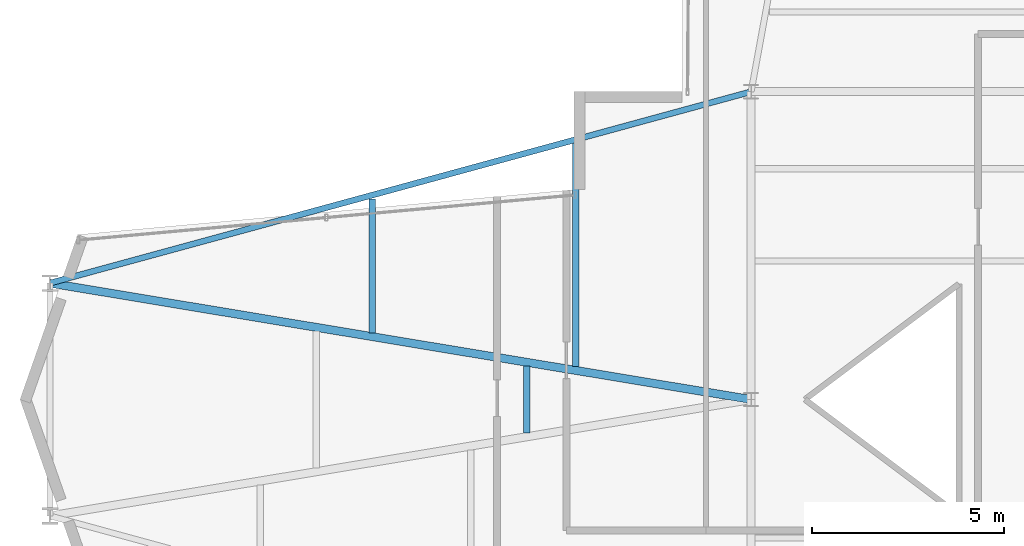
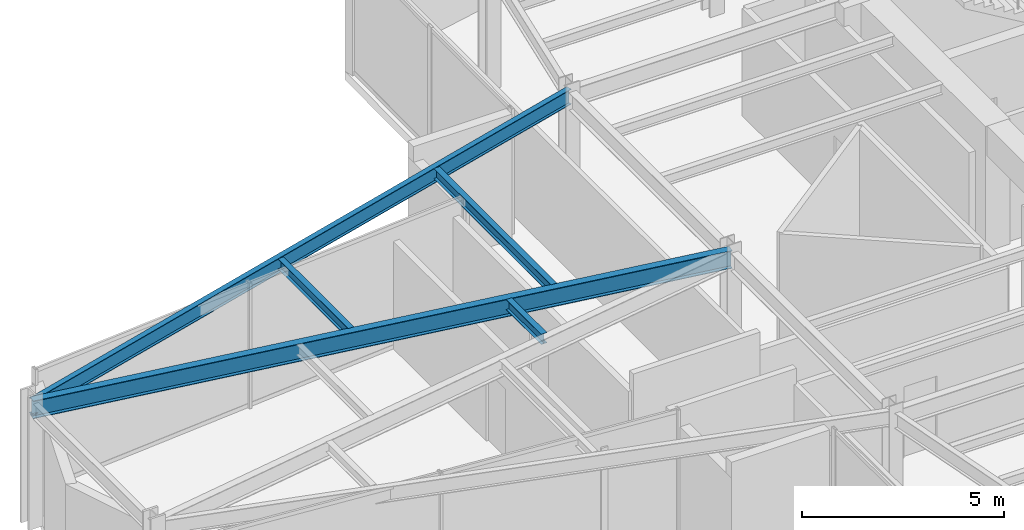
# One storey, part 10 of 23: 5 beams.
"""IFC4 building model written with IfcOpenShell, lengths in metres."""

from ifc_helpers import new_model, si_unit, direction, frame, origin, origin_2d, place, context, subcontext, project, spatial, i_section, extrude, material, material_profile, profile_set, type_object, element, save


model = new_model("IFC4")

# Units and contexts
model_context = context("Model", 3, precision=1e-05, world=origin(), true_north=direction((0.0, 1.0)))
body_context = subcontext(model_context, "Body", "Model", "MODEL_VIEW")
ifc_project = project(units=[si_unit("LENGTHUNIT", "METRE"), si_unit("AREAUNIT", "SQUARE_METRE"), si_unit("VOLUMEUNIT", "CUBIC_METRE"), si_unit("PLANEANGLEUNIT", "RADIAN"), si_unit("MASSUNIT", "GRAM", prefix="KILO")], contexts=[model_context])

# Site, building, storey
site_placement = place(None, origin())
site = spatial("IfcSite", under=ifc_project, at=site_placement, CompositionType="ELEMENT")
building_placement = place(site_placement, origin())
building = spatial("IfcBuilding", under=site, at=building_placement, Name="Veymaron Broadcast Tower", CompositionType="ELEMENT")
storey_placement = place(building_placement, frame((0.0, 0.0, 191.85009765625)))
storey = spatial("IfcBuildingStorey", under=building, at=storey_placement, Name="L44", CompositionType="ELEMENT", Elevation=191.85009765625)

# Beams
ifc_material = material(Name="Structural steel ASTM A992 Gr 50", Category="steel")
ifc_material_profile_1 = material_profile(ifc_material, i_section(OverallWidth=0.2099609375, OverallDepth=0.537109375, WebThickness=0.010986328125, FlangeThickness=0.017333984375, at=origin_2d()), Name="W530X101")
ifc_profile_set_1 = profile_set([ifc_material_profile_1], Name="Structural steel ASTM A992 Gr 50")
beam_type_1 = type_object("IfcBeamType", Name="BM-FG3", PredefinedType="BEAM", material=ifc_profile_set_1)
beam_1_placement = place(storey_placement, frame((12.97509765625, 27.02490234375, 3.521484375), z_axis=(0.986504066629, -0.163736759843, 0.0), x_axis=(0.163736759843, 0.986504066629, 0.0)))
element("IfcBeam", 1, at=beam_1_placement, inside=storey, type_object=beam_type_1, Name="L44 primary structural floor girder", PredefinedType="BEAM", context=body_context, shape_type="SweptSolid", body=[
    extrude(i_section(OverallWidth=0.2099609375, OverallDepth=0.537109375, WebThickness=0.010986328125, FlangeThickness=0.017333984375, at=origin_2d()), origin(), (0.0, 0.0, 1.0), 18.47412109375),
])
ifc_material_profile_2 = material_profile(ifc_material, i_section(OverallWidth=0.1650390625, OverallDepth=0.31005859375, WebThickness=0.005859375, FlangeThickness=0.009765625, at=origin_2d()), Name="W310X39")
ifc_profile_set_2 = profile_set([ifc_material_profile_2], Name="Structural steel ASTM A992 Gr 50")
beam_type_2 = type_object("IfcBeamType", Name="BM-JS3", PredefinedType="JOIST", material=ifc_profile_set_2)
beam_2_placement = place(storey_placement, frame((21.3583984375, 25.7333984375, 3.635009765625), z_axis=(0.0, 1.0, 0.0), x_axis=(-1.0, 0.0, 0.0)))
element("IfcBeam", 2, at=beam_2_placement, inside=storey, type_object=beam_type_2, Name="L44 Arm-A secondary joist 1N", PredefinedType="JOIST", context=body_context, shape_type="SweptSolid", body=[
    extrude(i_section(OverallWidth=0.1650390625, OverallDepth=0.31005859375, WebThickness=0.005859375, FlangeThickness=0.009765625, at=origin_2d()), origin(), (0.0, 0.0, 1.0), 3.47998046875),
])
beam_3_placement = place(storey_placement, frame((25.367919921875, 23.132080078125, 3.635009765625), z_axis=(0.0, 1.0, 0.0), x_axis=(-1.0, 0.0, 0.0)))
element("IfcBeam", 3, at=beam_3_placement, inside=storey, type_object=beam_type_2, Name="L44 Arm-A secondary joist 2M", PredefinedType="JOIST", context=body_context, shape_type="SweptSolid", body=[
    extrude(i_section(OverallWidth=0.1650390625, OverallDepth=0.31005859375, WebThickness=0.005859375, FlangeThickness=0.009765625, at=origin_2d()), origin(), (0.0, 0.0, 1.0), 1.73583984375),
])
beam_4_placement = place(storey_placement, frame((26.643798828125, 24.856201171875, 3.635009765625), z_axis=(0.0, 1.0, 0.0), x_axis=(-1.0, 0.0, 0.0)))
element("IfcBeam", 4, at=beam_4_placement, inside=storey, type_object=beam_type_2, Name="L44 Arm-A secondary joist 2N", PredefinedType="JOIST", context=body_context, shape_type="SweptSolid", body=[
    extrude(i_section(OverallWidth=0.1650390625, OverallDepth=0.31005859375, WebThickness=0.005859375, FlangeThickness=0.009765625, at=origin_2d()), origin(), (0.0, 0.0, 1.0), 5.800048828125),
])
ifc_material_profile_3 = material_profile(ifc_material, i_section(OverallWidth=0.154052734375, OverallDepth=0.458984375, WebThickness=0.009033203125, FlangeThickness=0.015380859375, at=origin_2d()), Name="W460X68")
ifc_profile_set_3 = profile_set([ifc_material_profile_3], Name="Structural steel ASTM A992 Gr 50")
beam_type_3 = type_object("IfcBeamType", Name="BM-SP2", PredefinedType="SPANDREL", material=ifc_profile_set_3)
beam_5_placement = place(storey_placement, frame((12.97509765625, 27.02490234375, 3.560302734375), z_axis=(0.964700867806, 0.263348126353, 0.0), x_axis=(-0.263348126353, 0.964700867806, 0.0)))
element("IfcBeam", 5, at=beam_5_placement, inside=storey, type_object=beam_type_3, Name="L44 primary structural floor girder", PredefinedType="SPANDREL", context=body_context, shape_type="SweptSolid", body=[
    extrude(i_section(OverallWidth=0.154052734375, OverallDepth=0.458984375, WebThickness=0.009033203125, FlangeThickness=0.015380859375, at=origin_2d()), origin(), (0.0, 0.0, 1.0), 18.8916015625),
])

save(model, "model.ifc")
